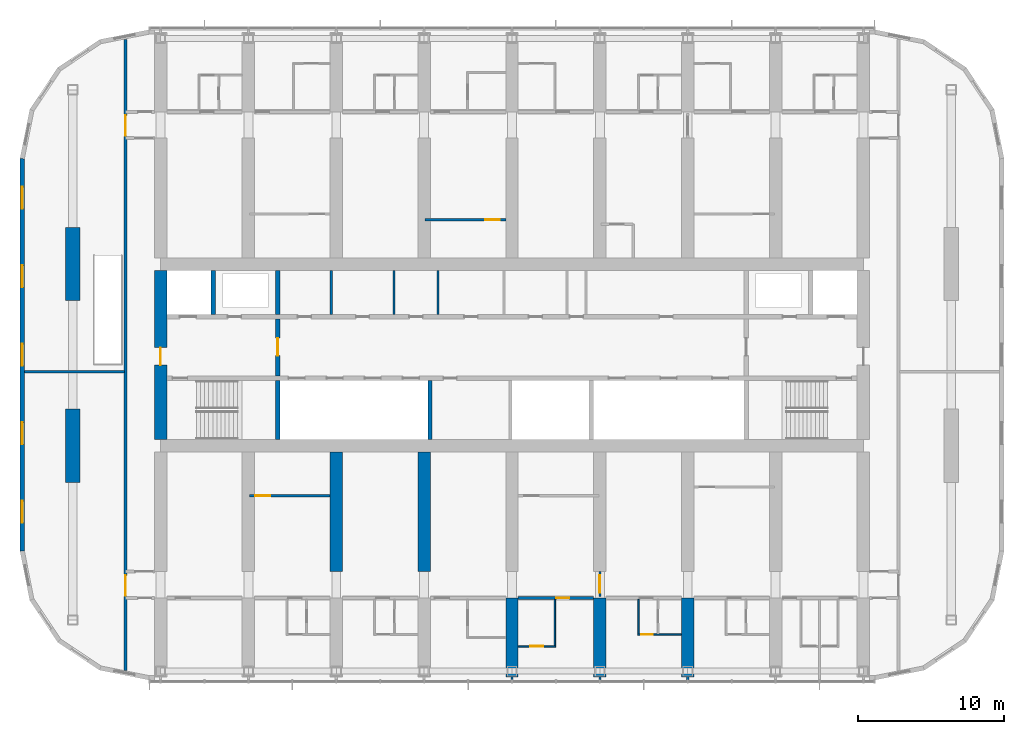
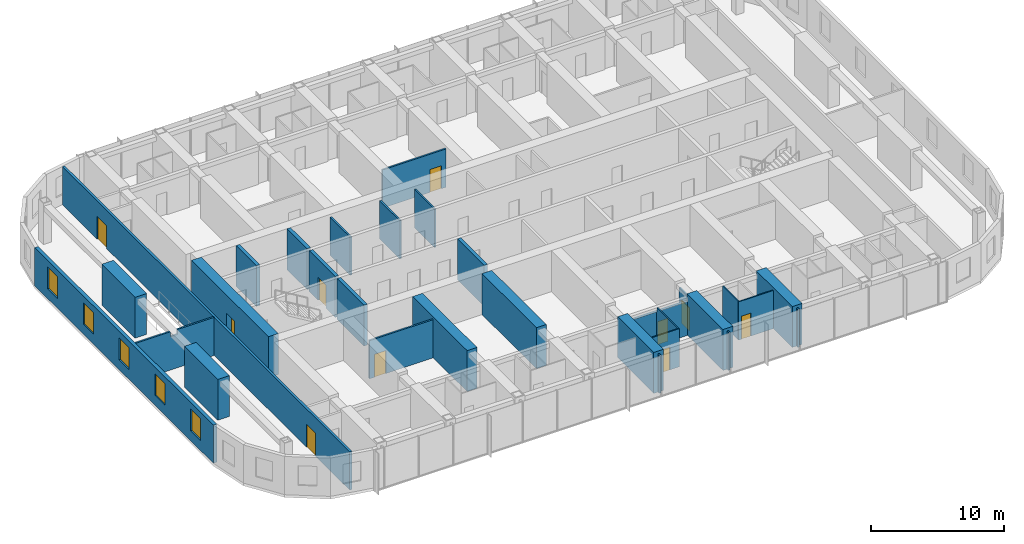
# One storey, part 11 of 22: 30 walls, 10 doors, 5 windows, 15 openings.
"""IFC4 building model written with IfcOpenShell, lengths in metres."""

from ifc_helpers import new_model, si_unit, direction, frame, frame_2d, origin, place, context, subcontext, project, spatial, polyline, rectangle, outline, extrude, material, layer, layer_set, type_object, element, fill, save


model = new_model("IFC4")

# Units and contexts
model_context = context("Model", 3, precision=1e-05, world=origin(), true_north=direction((0.0, 1.0)))
body_context = subcontext(model_context, "Body", "Model", "MODEL_VIEW")
ifc_project = project(units=[si_unit("LENGTHUNIT", "METRE"), si_unit("AREAUNIT", "SQUARE_METRE"), si_unit("VOLUMEUNIT", "CUBIC_METRE"), si_unit("PLANEANGLEUNIT", "RADIAN"), si_unit("MASSUNIT", "GRAM", prefix="KILO")], contexts=[model_context])

# Site, building, storey
site_placement = place(None, origin())
site = spatial("IfcSite", under=ifc_project, at=site_placement, CompositionType="ELEMENT")
building_placement = place(site_placement, origin())
building = spatial("IfcBuilding", under=site, at=building_placement, Name="Orbita Commons", CompositionType="ELEMENT")
storey_placement = place(building_placement, frame((0.0, 0.0, 182.35009765625)))
storey = spatial("IfcBuildingStorey", under=building, at=storey_placement, Name="L45", CompositionType="ELEMENT", Elevation=182.35009765625)

# Wall
ifc_material_1 = material(Name="Concrete C50/60", Category="concrete")
ifc_layer_1 = layer(ifc_material_1, 0.300048828125)
ifc_layer_set_1 = layer_set([ifc_layer_1], Name="Concrete C50/60")
wall_type_1 = type_object("IfcWallType", Name="Core inner wall 300 C50/60", PredefinedType="SHEAR", material=ifc_layer_set_1)
wall_1_placement = place(storey_placement, frame((26.0, 26.22509765625, 0.0), z_axis=(0.0, 0.0, 1.0), x_axis=(0.0, 1.0, 0.0)))
element("IfcWall", 1, at=wall_1_placement, inside=storey, type_object=wall_type_1, Name="Stair S1 wall L45", PredefinedType="SHEAR", context=body_context, shape_type="SweptSolid", body=[
    extrude(rectangle(XDim=4.02490234375, YDim=0.300048828125, at=frame_2d((2.012451171875, 0.0))), origin(), (0.0, 0.0, 1.0), 3.75),
])

# Wall, opening, door
wall_2_placement = place(storey_placement, frame((26.0, 30.550048828125, 0.0), z_axis=(0.0, 0.0, 1.0), x_axis=(0.0, 1.0, 0.0)))
wall_2 = element("IfcWall", 2, at=wall_2_placement, inside=storey, type_object=wall_type_1, Name="Firefighting lobby wall west L45", PredefinedType="SHEAR", context=body_context, shape_type="SweptSolid", body=[
    extrude(rectangle(XDim=3.89990234375, YDim=0.300048828125, at=frame_2d((1.949951171875, 0.0))), origin(), (0.0, 0.0, 1.0), 3.75),
])
opening_1_placement = place(wall_2_placement, frame((1.39990234375, 0.0, 0.0)))
opening_1 = element("IfcOpeningElement", 3, at=opening_1_placement, cuts=wall_2, Name="Opening D04", PredefinedType="OPENING", context=body_context, shape_type="SweptSolid", body=[
    extrude(rectangle(XDim=1.199951171875, YDim=2.10009765625, at=frame_2d((0.60009765625, 1.050048828125))), frame((0.0, 0.159912109375, 0.0), z_axis=(0.0, -1.0, 0.0), x_axis=(1.0, 0.0, 0.0)), (0.0, 0.0, 1.0), 0.320068359375),
])
ifc_material_2 = material(Name="Steel-faced fire door leaf", Category="steel")
door_type_1 = type_object("IfcDoorType", Name="Service door 20 min 1200x2100", OperationType="SINGLE_SWING_LEFT", PredefinedType="DOOR", material=ifc_material_2)
door_1_placement = place(opening_1_placement, origin())
door_1 = element("IfcDoor", 4, at=door_1_placement, inside=storey, type_object=door_type_1, Name="Lift lobby door west", OperationType="SINGLE_SWING_LEFT", OverallHeight=2.10009765625, OverallWidth=1.199951171875, PredefinedType="DOOR", context=body_context, shape_type="SweptSolid", body=[
    extrude(rectangle(XDim=1.199951171875, YDim=2.10009765625, at=frame_2d((0.60009765625, 1.050048828125))), frame((0.0, 0.02490234375, 0.0), z_axis=(0.0, -1.0, 0.0), x_axis=(1.0, 0.0, 0.0)), (0.0, 0.0, 1.0), 0.050048828125),
])
fill(opening_1, door_1)

# Walls
for number, where, z_axis, x_axis, name in (
    (5, (21.60009765625, 34.75, 0.0), (0.0, 0.0, 1.0), (0.0, 1.0, 0.0), "Firefighting lift FL1 shaft wall L45"),
    (6, (26.0, 34.75, 0.0), (0.0, 0.0, 1.0), (0.0, 1.0, 0.0), "Riser wall west L45"),
):
    element("IfcWall", number, at=place(storey_placement, frame(where, z_axis=z_axis, x_axis=x_axis)), inside=storey, type_object=wall_type_1, Name=name, PredefinedType="SHEAR", context=body_context, shape_type="SweptSolid", body=[
        extrude(rectangle(XDim=3.02490234375, YDim=0.300048828125, at=frame_2d((1.512451171875, 0.0))), origin(), (0.0, 0.0, 1.0), 3.75),
    ])
wall_3_placement = place(storey_placement, frame((36.39990234375, 26.22509765625, 0.0), z_axis=(0.0, 0.0, 1.0), x_axis=(0.0, 1.0, 0.0)))
element("IfcWall", 7, at=wall_3_placement, inside=storey, type_object=wall_type_1, Name="Hoistway division wall L45", PredefinedType="SHEAR", context=body_context, shape_type="SweptSolid", body=[
    extrude(rectangle(XDim=4.02490234375, YDim=0.300048828125, at=frame_2d((2.012451171875, 0.0))), origin(), (0.0, 0.0, 1.0), 3.75),
])
ifc_material_3 = material(Name="Concrete blockwork", Category="masonry")
ifc_layer_2 = layer(ifc_material_3, 0.14990234375)
ifc_layer_set_2 = layer_set([ifc_layer_2], Name="Concrete blockwork")
wall_type_2 = type_object("IfcWallType", Name="Core partition 150 blockwork", PredefinedType="SOLIDWALL", material=ifc_layer_set_2)
for number, where, z_axis, x_axis, name in (
    (8, (29.65087890625, 34.75, 0.0), (0.0, 0.0, 1.0), (0.0, 1.0, 0.0), "Core partition 150 blockwork L45"),
    (9, (33.9462890625, 34.75, 0.0), (0.0, 0.0, 1.0), (0.0, 1.0, 0.0), "Core partition 150 blockwork L45"),
    (10, (36.9462890625, 34.75, 0.0), (0.0, 0.0, 1.0), (0.0, 1.0, 0.0), "Core partition 150 blockwork L45"),
):
    element("IfcWall", number, at=place(storey_placement, frame(where, z_axis=z_axis, x_axis=x_axis)), inside=storey, type_object=wall_type_2, Name=name, PredefinedType="SOLIDWALL", context=body_context, shape_type="SweptSolid", body=[
        extrude(rectangle(XDim=3.02490234375, YDim=0.14990234375, at=frame_2d((1.512451171875, 0.0))), origin(), (0.0, 0.0, 1.0), 3.5),
    ])

# Wall, opening, door
ifc_material_4 = material(Name="Concrete C50/60", Category="concrete")
ifc_layer_3 = layer(ifc_material_4, 0.85009765625)
ifc_layer_set_3 = layer_set([ifc_layer_3], Name="Concrete C50/60")
wall_type_3 = type_object("IfcWallType", Name="Core wall 850 C50/60", PredefinedType="SHEAR", material=ifc_layer_set_3)
wall_4_placement = place(storey_placement, frame((18.0, 26.22509765625, 0.0), z_axis=(0.0, 0.0, 1.0), x_axis=(0.0, 1.0, 0.0)))
wall_4 = element("IfcWall", 11, at=wall_4_placement, inside=storey, type_object=wall_type_3, Name="Core end wall west L45", PredefinedType="SHEAR", context=body_context, shape_type="SweptSolid", body=[
    extrude(rectangle(XDim=11.5498046875, YDim=0.85009765625, at=frame_2d((5.77490234375, 0.0))), origin(), (0.0, 0.0, 1.0), 3.75),
])
opening_2_placement = place(wall_4_placement, frame((5.074951171875, 0.0, 0.0)))
opening_2 = element("IfcOpeningElement", 12, at=opening_2_placement, cuts=wall_4, Name="Opening D01", PredefinedType="OPENING", context=body_context, shape_type="SweptSolid", body=[
    extrude(rectangle(XDim=1.199951171875, YDim=2.10009765625, at=frame_2d((0.60009765625, 1.050048828125))), frame((0.0, 0.43505859375, 0.0), z_axis=(0.0, -1.0, 0.0), x_axis=(1.0, 0.0, 0.0)), (0.0, 0.0, 1.0), 0.8701171875),
])
ifc_material_5 = material(Name="Steel-faced fire door leaf", Category="steel")
door_type_2 = type_object("IfcDoorType", Name="Fire door 90 min 1200x2100", OperationType="SINGLE_SWING_LEFT", PredefinedType="DOOR", material=ifc_material_5)
door_2_placement = place(opening_2_placement, origin())
door_2 = element("IfcDoor", 13, at=door_2_placement, inside=storey, type_object=door_type_2, Name="Firefighting lobby west door", OperationType="SINGLE_SWING_LEFT", OverallHeight=2.10009765625, OverallWidth=1.199951171875, PredefinedType="DOOR", context=body_context, shape_type="SweptSolid", body=[
    extrude(rectangle(XDim=1.199951171875, YDim=2.10009765625, at=frame_2d((0.60009765625, 1.050048828125))), frame((0.0, 0.02490234375, 0.0), z_axis=(0.0, -1.0, 0.0), x_axis=(1.0, 0.0, 0.0)), (0.0, 0.0, 1.0), 0.050048828125),
])
fill(opening_2, door_2)

ifc_material_6 = material(Name="Concrete blockwork", Category="masonry")
ifc_layer_4 = layer(ifc_material_6, 0.199951171875)
ifc_layer_set_4 = layer_set([ifc_layer_4], Name="Concrete blockwork")
wall_type_4 = type_object("IfcWallType", Name="Corridor wall 200 blockwork", PredefinedType="SOLIDWALL", material=ifc_layer_set_4)
wall_5_placement = place(storey_placement, frame((42.425048828125, 15.39990234375, 0.0), z_axis=(0.0, 0.0, 1.0), x_axis=(1.0, 0.0, 0.0)))
wall_5 = element("IfcWall", 14, at=wall_5_placement, inside=storey, type_object=wall_type_4, Name="Corridor wall 200 blockwork L45", PredefinedType="SOLIDWALL", context=body_context, shape_type="SweptSolid", body=[
    extrude(outline(polyline([(0.0, 0.0), (5.14990234375, 0.0), (5.14990234375, 3.099853515625), (0.0, 3.099853515625), (0.0, 0.0)])), frame((0.0, 0.10009765625, 0.0), z_axis=(0.0, -1.0, 0.0), x_axis=(1.0, 0.0, 0.0)), (0.0, 0.0, 1.0), 0.199951171875),
])
opening_3_placement = place(wall_5_placement, frame((2.60009765625, 0.0, 0.0)))
opening_3 = element("IfcOpeningElement", 15, at=opening_3_placement, cuts=wall_5, Name="Opening D11", PredefinedType="OPENING", context=body_context, shape_type="SweptSolid", body=[
    extrude(rectangle(XDim=0.89990234375, YDim=2.10009765625, at=frame_2d((0.449951171875, 1.050048828125))), frame((0.0, 0.10986328125, 0.0), z_axis=(0.0, -1.0, 0.0), x_axis=(1.0, 0.0, 0.0)), (0.0, 0.0, 1.0), 0.219970703125),
])
ifc_material_7 = material(Name="Steel-faced fire door leaf", Category="steel")
door_type_3 = type_object("IfcDoorType", Name="Corridor door 20 min 900x2100", OperationType="SINGLE_SWING_LEFT", PredefinedType="DOOR", material=ifc_material_7)
door_3_placement = place(opening_3_placement, origin())
door_3 = element("IfcDoor", 16, at=door_3_placement, inside=storey, type_object=door_type_3, Name="Twin room L45-S08 door", OperationType="SINGLE_SWING_LEFT", OverallHeight=2.10009765625, OverallWidth=0.89990234375, PredefinedType="DOOR", context=body_context, shape_type="SweptSolid", body=[
    extrude(rectangle(XDim=0.89990234375, YDim=2.10009765625, at=frame_2d((0.449951171875, 1.050048828125))), frame((0.0, 0.02490234375, 0.0), z_axis=(0.0, -1.0, 0.0), x_axis=(1.0, 0.0, 0.0)), (0.0, 0.0, 1.0), 0.050048828125),
])
fill(opening_3, door_3)

# Wall, openings, doors
wall_6_placement = place(storey_placement, frame((15.60009765625, 10.4462890625, 0.0), z_axis=(0.0, 0.0, 1.0), x_axis=(0.0, 1.0, 0.0)))
wall_6 = element("IfcWall", 17, at=wall_6_placement, inside=storey, type_object=wall_type_4, Name="Corridor wall 200 blockwork L45", PredefinedType="SOLIDWALL", context=body_context, shape_type="SweptSolid", body=[
    extrude(rectangle(XDim=43.107421875, YDim=0.199951171875, at=frame_2d((21.5537109375, 0.0))), origin(), (0.0, 0.0, 1.0), 3.5),
])
opening_4_placement = place(wall_6_placement, frame((5.103759765625, 0.0, 0.0)))
opening_4 = element("IfcOpeningElement", 18, at=opening_4_placement, cuts=wall_6, Name="Opening D08", PredefinedType="OPENING", context=body_context, shape_type="SweptSolid", body=[
    extrude(rectangle(XDim=1.39990234375, YDim=2.10009765625, at=frame_2d((0.699951171875, 1.050048828125))), frame((0.0, 0.10986328125, 0.0), z_axis=(0.0, -1.0, 0.0), x_axis=(1.0, 0.0, 0.0)), (0.0, 0.0, 1.0), 0.219970703125),
])
opening_5_placement = place(wall_6_placement, frame((36.50390625, 0.0, 0.0)))
opening_5 = element("IfcOpeningElement", 19, at=opening_5_placement, cuts=wall_6, Name="Opening D08", PredefinedType="OPENING", context=body_context, shape_type="SweptSolid", body=[
    extrude(rectangle(XDim=1.39990234375, YDim=2.10009765625, at=frame_2d((0.699951171875, 1.050048828125))), frame((0.0, 0.10986328125, 0.0), z_axis=(0.0, -1.0, 0.0), x_axis=(1.0, 0.0, 0.0)), (0.0, 0.0, 1.0), 0.219970703125),
])
ifc_material_8 = material(Name="Steel-faced fire door leaf", Category="steel")
door_type_4 = type_object("IfcDoorType", Name="Double corridor door 20 min 1400x2100", OperationType="DOUBLE_DOOR_SINGLE_SWING", PredefinedType="DOOR", material=ifc_material_8)
door_4_placement = place(opening_4_placement, origin())
door_4 = element("IfcDoor", 20, at=door_4_placement, inside=storey, type_object=door_type_4, Name="Lounge doors", OperationType="DOUBLE_DOOR_SINGLE_SWING", OverallHeight=2.10009765625, OverallWidth=1.39990234375, PredefinedType="DOOR", context=body_context, shape_type="SweptSolid", body=[
    extrude(rectangle(XDim=1.39990234375, YDim=2.10009765625, at=frame_2d((0.699951171875, 1.050048828125))), frame((0.0, 0.02490234375, 0.0), z_axis=(0.0, -1.0, 0.0), x_axis=(1.0, 0.0, 0.0)), (0.0, 0.0, 1.0), 0.050048828125),
])
fill(opening_4, door_4)
door_5_placement = place(opening_5_placement, origin())
door_5 = element("IfcDoor", 21, at=door_5_placement, inside=storey, type_object=door_type_4, Name="Lounge doors", OperationType="DOUBLE_DOOR_SINGLE_SWING", OverallHeight=2.10009765625, OverallWidth=1.39990234375, PredefinedType="DOOR", context=body_context, shape_type="SweptSolid", body=[
    extrude(rectangle(XDim=1.39990234375, YDim=2.10009765625, at=frame_2d((0.699951171875, 1.050048828125))), frame((0.0, 0.02490234375, 0.0), z_axis=(0.0, -1.0, 0.0), x_axis=(1.0, 0.0, 0.0)), (0.0, 0.0, 1.0), 0.050048828125),
])
fill(opening_5, door_5)

# Walls
ifc_material_9 = material(Name="Concrete C50/60", Category="concrete")
ifc_layer_5 = layer(ifc_material_9, 0.85009765625)
ifc_layer_set_5 = layer_set([ifc_layer_5], Name="Concrete C50/60")
wall_type_5 = type_object("IfcWallType", Name="Cross wall 850 C50/60", PredefinedType="SHEAR", material=ifc_layer_set_5)
for number, where, z_axis, x_axis, name in (
    (22, (30.0, 17.199951171875, 0.0), (0.0, 0.0, 1.0), (0.0, 1.0, 0.0), "Cross wall 6 south inner L45"),
    (23, (36.0, 17.199951171875, 0.0), (0.0, 0.0, 1.0), (0.0, 1.0, 0.0), "Cross wall 7 south inner L45"),
):
    element("IfcWall", number, at=place(storey_placement, frame(where, z_axis=z_axis, x_axis=x_axis)), inside=storey, type_object=wall_type_5, Name=name, PredefinedType="SHEAR", context=body_context, shape_type="SweptSolid", body=[
        extrude(rectangle(XDim=8.175048828125, YDim=0.85009765625, at=frame_2d((4.08740234375, 0.0))), origin(), (0.0, 0.0, 1.0), 3.75),
    ])
for number, where, z_axis, x_axis, name in (
    (24, (42.0, 10.0, 0.0), (0.0, 0.0, 1.0), (0.0, 1.0, 0.0), "Cross wall 8 south outer L45"),
    (25, (48.0, 10.0, 0.0), (0.0, 0.0, 1.0), (0.0, 1.0, 0.0), "Cross wall 9 south outer L45"),
    (26, (54.0, 10.0, 0.0), (0.0, 0.0, 1.0), (0.0, 1.0, 0.0), "Cross wall 10 south outer L45"),
):
    element("IfcWall", number, at=place(storey_placement, frame(where, z_axis=z_axis, x_axis=x_axis)), inside=storey, type_object=wall_type_5, Name=name, PredefinedType="SHEAR", context=body_context, shape_type="SweptSolid", body=[
        extrude(rectangle(XDim=5.39990234375, YDim=0.85009765625, at=frame_2d((2.699951171875, 0.0))), origin(), (0.0, 0.0, 1.0), 3.75),
    ])

# Wall, opening, door
ifc_material_10 = material(Name="Moisture-resistant plasterboard on steel studs", Category="steel")
ifc_layer_6 = layer(ifc_material_10, 0.10009765625)
ifc_layer_set_6 = layer_set([ifc_layer_6], Name="Moisture-resistant plasterboard on steel studs")
wall_type_6 = type_object("IfcWallType", Name="En-suite partition 100", PredefinedType="PARTITIONING", material=ifc_layer_set_6)
wall_7_placement = place(storey_placement, frame((44.97509765625, 12.10009765625, 0.0), z_axis=(0.0, 0.0, 1.0), x_axis=(-1.0, 0.0, 0.0)))
wall_7 = element("IfcWall", 27, at=wall_7_placement, inside=storey, type_object=wall_type_6, Name="En-suite partition 100 L45", PredefinedType="PARTITIONING", context=body_context, shape_type="SweptSolid", body=[
    extrude(rectangle(XDim=2.550048828125, YDim=0.10009765625, at=frame_2d((1.27490234375, 0.0))), origin(), (0.0, 0.0, 1.0), 3.5),
])
opening_6_placement = place(wall_7_placement, frame((0.824951171875, 0.0, 0.0)))
opening_6 = element("IfcOpeningElement", 28, at=opening_6_placement, cuts=wall_7, Name="Opening D09", PredefinedType="OPENING", context=body_context, shape_type="SweptSolid", body=[
    extrude(rectangle(XDim=0.89990234375, YDim=2.10009765625, at=frame_2d((0.449951171875, 1.050048828125))), frame((0.0, 0.06005859375, 0.0), z_axis=(0.0, -1.0, 0.0), x_axis=(1.0, 0.0, 0.0)), (0.0, 0.0, 1.0), 0.1201171875),
])
ifc_material_11 = material(Name="Laminated timber door leaf", Category="wood")
door_type_5 = type_object("IfcDoorType", Name="En-suite door 900x2100", OperationType="SINGLE_SWING_RIGHT", PredefinedType="DOOR", material=ifc_material_11)
door_6_placement = place(opening_6_placement, origin())
door_6 = element("IfcDoor", 29, at=door_6_placement, inside=storey, type_object=door_type_5, Name="En-suite L45-S08 door", OperationType="SINGLE_SWING_RIGHT", OverallHeight=2.10009765625, OverallWidth=0.89990234375, PredefinedType="DOOR", context=body_context, shape_type="SweptSolid", body=[
    extrude(rectangle(XDim=0.89990234375, YDim=2.10009765625, at=frame_2d((0.449951171875, 1.050048828125))), frame((0.0, 0.02490234375, 0.0), z_axis=(0.0, -1.0, 0.0), x_axis=(1.0, 0.0, 0.0)), (0.0, 0.0, 1.0), 0.050048828125),
])
fill(opening_6, door_6)

# Wall
wall_8_placement = place(storey_placement, frame((44.925048828125, 12.14990234375, 0.0), z_axis=(0.0, 0.0, 1.0), x_axis=(0.0, 1.0, 0.0)))
element("IfcWall", 30, at=wall_8_placement, inside=storey, type_object=wall_type_6, Name="En-suite partition 100 L45", PredefinedType="PARTITIONING", context=body_context, shape_type="SweptSolid", body=[
    extrude(outline(polyline([(0.0, 0.0), (3.150146484375, 0.0), (3.14990234375, 3.099853515625), (3.10205078125, 3.099853515625), (3.10009765625, 3.5), (0.0, 3.5), (0.0, 0.0)])), frame((0.0, 0.050048828125, 0.0), z_axis=(0.0, -1.0, 0.0), x_axis=(1.0, 0.0, 0.0)), (0.0, 0.0, 1.0), 0.10009765625),
])

# Wall, opening, door
wall_9_placement = place(storey_placement, frame((53.574951171875, 12.89990234375, 0.0), z_axis=(0.0, 0.0, 1.0), x_axis=(-1.0, 0.0, 0.0)))
wall_9 = element("IfcWall", 31, at=wall_9_placement, inside=storey, type_object=wall_type_6, Name="En-suite partition 100 L45", PredefinedType="PARTITIONING", context=body_context, shape_type="SweptSolid", body=[
    extrude(rectangle(XDim=3.0, YDim=0.10009765625, at=frame_2d((1.5, 0.0))), origin(), (0.0, 0.0, 1.0), 3.5),
])
opening_7_placement = place(wall_9_placement, frame((1.949951171875, 0.0, 0.0)))
opening_7 = element("IfcOpeningElement", 32, at=opening_7_placement, cuts=wall_9, Name="Opening D16", PredefinedType="OPENING", context=body_context, shape_type="SweptSolid", body=[
    extrude(rectangle(XDim=0.800048828125, YDim=2.10009765625, at=frame_2d((0.39990234375, 1.050048828125))), frame((0.0, 0.06005859375, 0.0), z_axis=(0.0, -1.0, 0.0), x_axis=(1.0, 0.0, 0.0)), (0.0, 0.0, 1.0), 0.1201171875),
])
ifc_material_12 = material(Name="Laminated timber door leaf", Category="wood")
door_type_6 = type_object("IfcDoorType", Name="En-suite door 800x2100", OperationType="SINGLE_SWING_RIGHT", PredefinedType="DOOR", material=ifc_material_12)
door_7_placement = place(opening_7_placement, origin())
door_7 = element("IfcDoor", 33, at=door_7_placement, inside=storey, type_object=door_type_6, Name="Studio flat L45-S10 door", OperationType="SINGLE_SWING_RIGHT", OverallHeight=2.10009765625, OverallWidth=0.800048828125, PredefinedType="DOOR", context=body_context, shape_type="SweptSolid", body=[
    extrude(rectangle(XDim=0.800048828125, YDim=2.10009765625, at=frame_2d((0.39990234375, 1.050048828125))), frame((0.0, 0.02490234375, 0.0), z_axis=(0.0, -1.0, 0.0), x_axis=(1.0, 0.0, 0.0)), (0.0, 0.0, 1.0), 0.050048828125),
])
fill(opening_7, door_7)

# Walls
wall_10_placement = place(storey_placement, frame((50.625, 12.949951171875, 0.0), z_axis=(0.0, 0.0, 1.0), x_axis=(0.0, 1.0, 0.0)))
element("IfcWall", 34, at=wall_10_placement, inside=storey, type_object=wall_type_6, Name="En-suite partition 100 L45", PredefinedType="PARTITIONING", context=body_context, shape_type="SweptSolid", body=[
    extrude(outline(polyline([(0.0, 0.0), (2.35009765625, 0.0), (2.35009765625, 3.099853515625), (2.302001953125, 3.099853515625), (2.300048828125, 3.5), (0.0, 3.5), (0.0, 0.0)])), frame((0.0, 0.050048828125, 0.0), z_axis=(0.0, -1.0, 0.0), x_axis=(1.0, 0.0, 0.0)), (0.0, 0.0, 1.0), 0.10009765625),
])
ifc_material_13 = material(Name="Concrete C50/60", Category="concrete")
ifc_layer_7 = layer(ifc_material_13, 1.0)
ifc_layer_set_7 = layer_set([ifc_layer_7], Name="Concrete C50/60")
wall_type_7 = type_object("IfcWallType", Name="End pier 1000x5000 C50/60", PredefinedType="SHEAR", material=ifc_layer_set_7)
for number, where, z_axis, x_axis, name in (
    (35, (12.0, 23.300048828125, 0.0), (0.0, 0.0, 1.0), (0.0, 1.0, 0.0), "End pier 3/C L45"),
    (36, (12.0, 35.699951171875, 0.0), (0.0, 0.0, 1.0), (0.0, 1.0, 0.0), "End pier 3/D L45"),
):
    element("IfcWall", number, at=place(storey_placement, frame(where, z_axis=z_axis, x_axis=x_axis)), inside=storey, type_object=wall_type_7, Name=name, PredefinedType="SHEAR", context=body_context, shape_type="SweptSolid", body=[
        extrude(rectangle(XDim=5.0, YDim=1.0, at=frame_2d((2.5, 0.0))), origin(), (0.0, 0.0, 1.0), 3.75),
    ])

# Wall, opening, door
ifc_material_14 = material(Name="Gypsum plasterboard on steel studs", Category="steel")
ifc_layer_8 = layer(ifc_material_14, 0.14990234375)
ifc_layer_set_8 = layer_set([ifc_layer_8], Name="Gypsum plasterboard on steel studs")
wall_type_8 = type_object("IfcWallType", Name="Partition 150 plasterboard", PredefinedType="PARTITIONING", material=ifc_layer_set_8)
wall_11_placement = place(storey_placement, frame((24.074951171875, 22.375, 0.0), z_axis=(0.0, 0.0, 1.0), x_axis=(1.0, 0.0, 0.0)))
wall_11 = element("IfcWall", 37, at=wall_11_placement, inside=storey, type_object=wall_type_8, Name="Partition 150 plasterboard L45", PredefinedType="PARTITIONING", context=body_context, shape_type="SweptSolid", body=[
    extrude(rectangle(XDim=5.5, YDim=0.14990234375, at=frame_2d((2.75, 0.0))), origin(), (0.0, 0.0, 1.0), 3.5),
])
opening_8_placement = place(wall_11_placement, frame((0.39990234375, 0.0, 0.0)))
opening_8 = element("IfcOpeningElement", 38, at=opening_8_placement, cuts=wall_11, Name="Opening D17", PredefinedType="OPENING", context=body_context, shape_type="SweptSolid", body=[
    extrude(rectangle(XDim=1.0, YDim=2.10009765625, at=frame_2d((0.5, 1.050048828125))), frame((0.0, 0.0849609375, 0.0), z_axis=(0.0, -1.0, 0.0), x_axis=(1.0, 0.0, 0.0)), (0.0, 0.0, 1.0), 0.169921875),
])
ifc_material_15 = material(Name="Steel-faced fire door leaf", Category="steel")
door_type_7 = type_object("IfcDoorType", Name="Shaft access door 90 min 1000x2100", OperationType="SINGLE_SWING_LEFT", PredefinedType="DOOR", material=ifc_material_15)
door_8_placement = place(opening_8_placement, origin())
door_8 = element("IfcDoor", 39, at=door_8_placement, inside=storey, type_object=door_type_7, Name="Ventilation plant room south L45-BDS24 door", OperationType="SINGLE_SWING_LEFT", OverallHeight=2.10009765625, OverallWidth=1.0, PredefinedType="DOOR", context=body_context, shape_type="SweptSolid", body=[
    extrude(rectangle(XDim=1.0, YDim=2.10009765625, at=frame_2d((0.5, 1.050048828125))), frame((0.0, 0.02490234375, 0.0), z_axis=(0.0, -1.0, 0.0), x_axis=(1.0, 0.0, 0.0)), (0.0, 0.0, 1.0), 0.050048828125),
])
fill(opening_8, door_8)

wall_12_placement = place(storey_placement, frame((41.574951171875, 41.22509765625, 0.0), z_axis=(0.0, 0.0, 1.0), x_axis=(-1.0, 0.0, 0.0)))
wall_12 = element("IfcWall", 40, at=wall_12_placement, inside=storey, type_object=wall_type_8, Name="Partition 150 plasterboard L45", PredefinedType="PARTITIONING", context=body_context, shape_type="SweptSolid", body=[
    extrude(rectangle(XDim=5.5, YDim=0.14990234375, at=frame_2d((2.75, 0.0))), origin(), (0.0, 0.0, 1.0), 3.5),
])
opening_9_placement = place(wall_12_placement, frame((0.39990234375, 0.0, 0.0)))
opening_9 = element("IfcOpeningElement", 41, at=opening_9_placement, cuts=wall_12, Name="Opening D17", PredefinedType="OPENING", context=body_context, shape_type="SweptSolid", body=[
    extrude(rectangle(XDim=1.0, YDim=2.10009765625, at=frame_2d((0.5, 1.050048828125))), frame((0.0, 0.0849609375, 0.0), z_axis=(0.0, -1.0, 0.0), x_axis=(1.0, 0.0, 0.0)), (0.0, 0.0, 1.0), 0.169921875),
])
door_9_placement = place(opening_9_placement, origin())
door_9 = element("IfcDoor", 42, at=door_9_placement, inside=storey, type_object=door_type_7, Name="Electrical and data room L45-BDN36 door", OperationType="SINGLE_SWING_LEFT", OverallHeight=2.10009765625, OverallWidth=1.0, PredefinedType="DOOR", context=body_context, shape_type="SweptSolid", body=[
    extrude(rectangle(XDim=1.0, YDim=2.10009765625, at=frame_2d((0.5, 1.050048828125))), frame((0.0, 0.02490234375, 0.0), z_axis=(0.0, -1.0, 0.0), x_axis=(1.0, 0.0, 0.0)), (0.0, 0.0, 1.0), 0.050048828125),
])
fill(opening_9, door_9)

wall_13_placement = place(storey_placement, frame((48.0, 15.5, 0.0), z_axis=(0.0, 0.0, 1.0), x_axis=(0.0, 1.0, 0.0)))
wall_13 = element("IfcWall", 43, at=wall_13_placement, inside=storey, type_object=wall_type_8, Name="Partition 150 plasterboard L45", PredefinedType="PARTITIONING", context=body_context, shape_type="SweptSolid", body=[
    extrude(outline(polyline([(0.0, 0.0), (1.699951171875, 0.0), (1.699951171875, 3.099853515625), (0.0, 3.099853515625), (0.0, 0.0)])), frame((0.0, 0.074951171875, 0.0), z_axis=(0.0, -1.0, 0.0), x_axis=(1.0, 0.0, 0.0)), (0.0, 0.0, 1.0), 0.14990234375),
])
opening_10_placement = place(wall_13_placement, frame((0.25, 0.0, 0.0)))
opening_10 = element("IfcOpeningElement", 44, at=opening_10_placement, cuts=wall_13, Name="Opening D12", PredefinedType="OPENING", context=body_context, shape_type="SweptSolid", body=[
    extrude(rectangle(XDim=1.199951171875, YDim=2.10009765625, at=frame_2d((0.60009765625, 1.050048828125))), frame((0.0, 0.0849609375, 0.0), z_axis=(0.0, -1.0, 0.0), x_axis=(1.0, 0.0, 0.0)), (0.0, 0.0, 1.0), 0.169921875),
])
ifc_material_16 = material(Name="Steel-faced fire door leaf", Category="steel")
door_type_8 = type_object("IfcDoorType", Name="Double corridor door 20 min 1200x2100", OperationType="DOUBLE_DOOR_SINGLE_SWING", PredefinedType="DOOR", material=ifc_material_16)
door_10_placement = place(opening_10_placement, origin())
door_10 = element("IfcDoor", 45, at=door_10_placement, inside=storey, type_object=door_type_8, Name="Social spine south screen doors", OperationType="DOUBLE_DOOR_SINGLE_SWING", OverallHeight=2.10009765625, OverallWidth=1.199951171875, PredefinedType="DOOR", context=body_context, shape_type="SweptSolid", body=[
    extrude(rectangle(XDim=1.199951171875, YDim=2.10009765625, at=frame_2d((0.60009765625, 1.050048828125))), frame((0.0, 0.02490234375, 0.0), z_axis=(0.0, -1.0, 0.0), x_axis=(1.0, 0.0, 0.0)), (0.0, 0.0, 1.0), 0.050048828125),
])
fill(opening_10, door_10)

# Walls
wall_14_placement = place(storey_placement, frame((8.705078125, 30.85009765625, 0.0), z_axis=(0.0, 0.0, 1.0), x_axis=(1.0, 0.0, 0.0)))
element("IfcWall", 46, at=wall_14_placement, inside=storey, type_object=wall_type_8, Name="Partition 150 plasterboard L45", PredefinedType="PARTITIONING", context=body_context, shape_type="SweptSolid", body=[
    extrude(outline(polyline([(0.0, 0.0), (6.81982421875, 0.0), (6.820068359375, 3.5), (3.596923828125, 3.5), (3.594970703125, 3.0498046875), (2.9970703125, 3.0498046875), (2.9951171875, 3.5), (0.0, 3.5), (0.0, 0.0)])), frame((0.0, 0.074951171875, 0.0), z_axis=(0.0, -1.0, 0.0), x_axis=(1.0, 0.0, 0.0)), (0.0, 0.0, 1.0), 0.14990234375),
])
for number, where, z_axis, x_axis, name in (
    (47, (42.0, 10.050048828125, 0.0), (0.0, 0.0, 1.0), (0.0, -1.0, 0.0), "Partition 150 plasterboard L45"),
    (48, (48.0, 10.050048828125, 0.0), (0.0, 0.0, 1.0), (0.0, -1.0, 0.0), "Partition 150 plasterboard L45"),
    (49, (54.0, 10.050048828125, 0.0), (0.0, 0.0, 1.0), (0.0, -1.0, 0.0), "Partition 150 plasterboard L45"),
):
    element("IfcWall", number, at=place(storey_placement, frame(where, z_axis=z_axis, x_axis=x_axis)), inside=storey, type_object=wall_type_8, Name=name, PredefinedType="PARTITIONING", context=body_context, shape_type="SweptSolid", body=[
        extrude(rectangle(XDim=0.239990234375, YDim=0.14990234375, at=frame_2d((0.1201171875, 0.0))), origin(), (0.0, 0.0, 1.0), 3.5),
    ])

# Wall, openings, windows
ifc_material_17 = material(Name="Precast concrete C40/50, white board-marked finish", Category="concrete")
ifc_layer_9 = layer(ifc_material_17, 0.300048828125)
ifc_layer_set_9 = layer_set([ifc_layer_9], Name="Precast concrete C40/50, white board-marked finish")
wall_type_9 = type_object("IfcWallType", Name="Precast concrete end shield 300", PredefinedType="SOLIDWALL", material=ifc_layer_set_9)
wall_15_placement = place(storey_placement, frame((8.550048828125, 45.39990234375, 0.0), z_axis=(0.0, 0.0, 1.0), x_axis=(0.0, -1.0, 0.0)))
wall_15 = element("IfcWall", 50, at=wall_15_placement, inside=storey, type_object=wall_type_9, Name="End shield W L45", PredefinedType="SOLIDWALL", context=body_context, shape_type="SweptSolid", body=[
    extrude(outline(polyline([(-0.014892578125, -0.14990234375), (26.814697265625, -0.14990234375), (26.784912109375, 0.14990234375), (0.014892578125, 0.14990234375), (-0.014892578125, -0.14990234375)])), origin(), (0.0, 0.0, 1.0), 3.5),
])
opening_11_placement = place(wall_15_placement, frame((1.929931640625, 0.0, 0.89990234375)))
opening_11 = element("IfcOpeningElement", 51, at=opening_11_placement, cuts=wall_15, Name="Opening W01", PredefinedType="OPENING", context=body_context, shape_type="SweptSolid", body=[
    extrude(rectangle(XDim=1.5, YDim=2.0, at=frame_2d((0.75, 1.0))), frame((0.0, 0.159912109375, 0.0), z_axis=(0.0, -1.0, 0.0), x_axis=(1.0, 0.0, 0.0)), (0.0, 0.0, 1.0), 0.320068359375),
])
opening_12_placement = place(wall_15_placement, frame((7.2900390625, 0.0, 0.89990234375)))
opening_12 = element("IfcOpeningElement", 52, at=opening_12_placement, cuts=wall_15, Name="Opening W01", PredefinedType="OPENING", context=body_context, shape_type="SweptSolid", body=[
    extrude(rectangle(XDim=1.5, YDim=2.0, at=frame_2d((0.75, 1.0))), frame((0.0, 0.159912109375, 0.0), z_axis=(0.0, -1.0, 0.0), x_axis=(1.0, 0.0, 0.0)), (0.0, 0.0, 1.0), 0.320068359375),
])
opening_13_placement = place(wall_15_placement, frame((12.64990234375, 0.0, 0.89990234375)))
opening_13 = element("IfcOpeningElement", 53, at=opening_13_placement, cuts=wall_15, Name="Opening W01", PredefinedType="OPENING", context=body_context, shape_type="SweptSolid", body=[
    extrude(rectangle(XDim=1.5, YDim=2.0, at=frame_2d((0.75, 1.0))), frame((0.0, 0.159912109375, 0.0), z_axis=(0.0, -1.0, 0.0), x_axis=(1.0, 0.0, 0.0)), (0.0, 0.0, 1.0), 0.320068359375),
])
opening_14_placement = place(wall_15_placement, frame((18.010009765625, 0.0, 0.89990234375)))
opening_14 = element("IfcOpeningElement", 54, at=opening_14_placement, cuts=wall_15, Name="Opening W01", PredefinedType="OPENING", context=body_context, shape_type="SweptSolid", body=[
    extrude(rectangle(XDim=1.5, YDim=2.0, at=frame_2d((0.75, 1.0))), frame((0.0, 0.159912109375, 0.0), z_axis=(0.0, -1.0, 0.0), x_axis=(1.0, 0.0, 0.0)), (0.0, 0.0, 1.0), 0.320068359375),
])
opening_15_placement = place(wall_15_placement, frame((23.3701171875, 0.0, 0.89990234375)))
opening_15 = element("IfcOpeningElement", 55, at=opening_15_placement, cuts=wall_15, Name="Opening W01", PredefinedType="OPENING", context=body_context, shape_type="SweptSolid", body=[
    extrude(rectangle(XDim=1.5, YDim=2.0, at=frame_2d((0.75, 1.0))), frame((0.0, 0.159912109375, 0.0), z_axis=(0.0, -1.0, 0.0), x_axis=(1.0, 0.0, 0.0)), (0.0, 0.0, 1.0), 0.320068359375),
])
ifc_material_18 = material(Name="Aluminium frame, clear double glazing", Category="aluminium")
window_type = type_object("IfcWindowType", Name="Deep-set window 1500x2000", PartitioningType="SINGLE_PANEL", PredefinedType="WINDOW", material=ifc_material_18)
window_1_placement = place(opening_11_placement, origin())
window_1 = element("IfcWindow", 56, at=window_1_placement, inside=storey, type_object=window_type, Name="Window L45-W 1", OverallHeight=2.0, OverallWidth=1.5, PartitioningType="SINGLE_PANEL", PredefinedType="WINDOW", context=body_context, shape_type="SweptSolid", body=[
    extrude(rectangle(XDim=1.5, YDim=2.0, at=frame_2d((0.75, 1.0))), frame((0.0, 0.030029296875, 0.0), z_axis=(0.0, -1.0, 0.0), x_axis=(1.0, 0.0, 0.0)), (0.0, 0.0, 1.0), 0.06005859375),
])
fill(opening_11, window_1)
window_2_placement = place(opening_12_placement, origin())
window_2 = element("IfcWindow", 57, at=window_2_placement, inside=storey, type_object=window_type, Name="Window L45-W 2", OverallHeight=2.0, OverallWidth=1.5, PartitioningType="SINGLE_PANEL", PredefinedType="WINDOW", context=body_context, shape_type="SweptSolid", body=[
    extrude(rectangle(XDim=1.5, YDim=2.0, at=frame_2d((0.75, 1.0))), frame((0.0, 0.030029296875, 0.0), z_axis=(0.0, -1.0, 0.0), x_axis=(1.0, 0.0, 0.0)), (0.0, 0.0, 1.0), 0.06005859375),
])
fill(opening_12, window_2)
window_3_placement = place(opening_13_placement, origin())
window_3 = element("IfcWindow", 58, at=window_3_placement, inside=storey, type_object=window_type, Name="Window L45-W 3", OverallHeight=2.0, OverallWidth=1.5, PartitioningType="SINGLE_PANEL", PredefinedType="WINDOW", context=body_context, shape_type="SweptSolid", body=[
    extrude(rectangle(XDim=1.5, YDim=2.0, at=frame_2d((0.75, 1.0))), frame((0.0, 0.030029296875, 0.0), z_axis=(0.0, -1.0, 0.0), x_axis=(1.0, 0.0, 0.0)), (0.0, 0.0, 1.0), 0.06005859375),
])
fill(opening_13, window_3)
window_4_placement = place(opening_14_placement, origin())
window_4 = element("IfcWindow", 59, at=window_4_placement, inside=storey, type_object=window_type, Name="Window L45-W 4", OverallHeight=2.0, OverallWidth=1.5, PartitioningType="SINGLE_PANEL", PredefinedType="WINDOW", context=body_context, shape_type="SweptSolid", body=[
    extrude(rectangle(XDim=1.5, YDim=2.0, at=frame_2d((0.75, 1.0))), frame((0.0, 0.030029296875, 0.0), z_axis=(0.0, -1.0, 0.0), x_axis=(1.0, 0.0, 0.0)), (0.0, 0.0, 1.0), 0.06005859375),
])
fill(opening_14, window_4)
window_5_placement = place(opening_15_placement, origin())
window_5 = element("IfcWindow", 60, at=window_5_placement, inside=storey, type_object=window_type, Name="Window L45-W 5", OverallHeight=2.0, OverallWidth=1.5, PartitioningType="SINGLE_PANEL", PredefinedType="WINDOW", context=body_context, shape_type="SweptSolid", body=[
    extrude(rectangle(XDim=1.5, YDim=2.0, at=frame_2d((0.75, 1.0))), frame((0.0, 0.030029296875, 0.0), z_axis=(0.0, -1.0, 0.0), x_axis=(1.0, 0.0, 0.0)), (0.0, 0.0, 1.0), 0.06005859375),
])
fill(opening_15, window_5)

save(model, "model.ifc")
